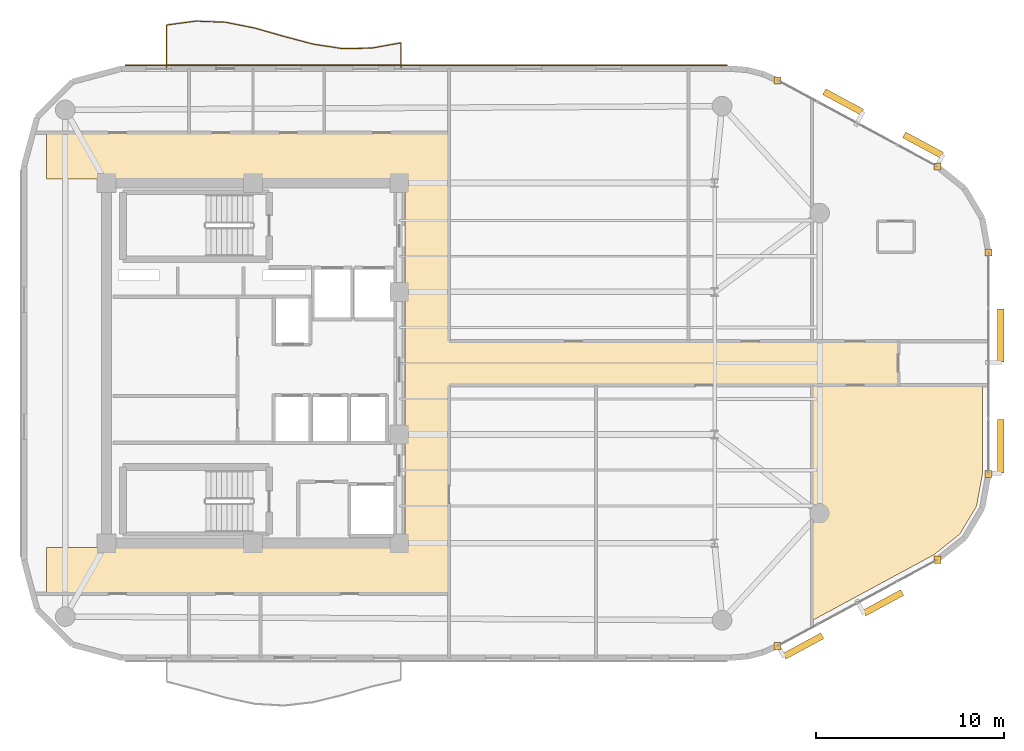
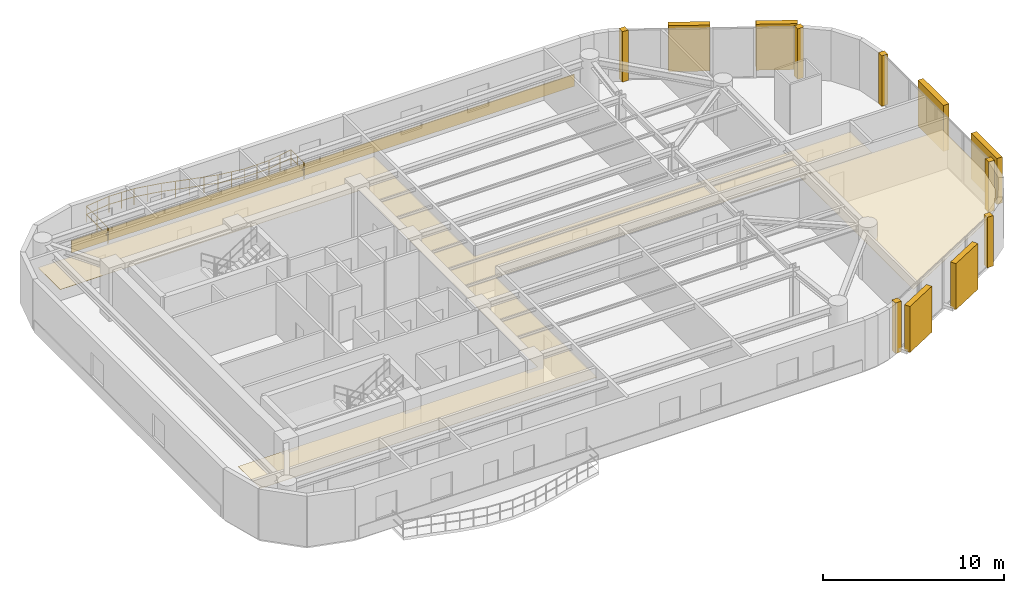
# One storey, part 13 of 13: 9 coverings, 6 shading devices, 1 railing.
"""IFC4 building model written with IfcOpenShell, lengths in metres."""

from ifc_helpers import new_model, si_unit, direction, frame, origin, origin_2d, place, context, subcontext, project, spatial, polyline, rectangle, circle, outline, extrude, material, layer, layer_set, type_object, element, save


model = new_model("IFC4")

# Units and contexts
model_context = context("Model", 3, precision=1e-05, world=origin(), true_north=direction((0.0, 1.0)))
body_context = subcontext(model_context, "Body", "Model", "MODEL_VIEW")
ifc_project = project(units=[si_unit("LENGTHUNIT", "METRE"), si_unit("AREAUNIT", "SQUARE_METRE"), si_unit("VOLUMEUNIT", "CUBIC_METRE"), si_unit("PLANEANGLEUNIT", "RADIAN"), si_unit("MASSUNIT", "GRAM", prefix="KILO")], contexts=[model_context])

# Site, building, storey
site_placement = place(None, origin())
site = spatial("IfcSite", under=ifc_project, at=site_placement, CompositionType="ELEMENT")
building_placement = place(site_placement, origin())
building = spatial("IfcBuilding", under=site, at=building_placement, Name="An Khanh Terracotta Commons", CompositionType="ELEMENT")
storey_placement = place(building_placement, frame((0.0, 0.0, 204.89990234375)))
storey = spatial("IfcBuildingStorey", under=building, at=storey_placement, Name="L53", CompositionType="ELEMENT", Elevation=204.89990234375)

# Coverings
ifc_material_1 = material(Name="Perforated Mineral-Fibre Acoustic Tile")
ifc_layer_1 = layer(ifc_material_1, 0.02001953125, Name="Perforated Mineral-Fibre Acoustic Tile")
ifc_layer_set_1 = layer_set([ifc_layer_1], Name="Perforated Mineral-Fibre Acoustic Tile")
covering_type_1 = type_object("IfcCoveringType", Name="CEIL-ACOUSTIC-18", PredefinedType="CEILING", material=ifc_layer_set_1)
covering_1_placement = place(storey_placement, frame((0.0, 0.0, 2.650146484375)))
element("IfcCovering", 1, at=covering_1_placement, inside=storey, type_object=covering_type_1, Name="L53 Corridor Ceiling", PredefinedType="CEILING", context=body_context, shape_type="SweptSolid", body=[
    extrude(outline(polyline([(18.39990234375, 11.719970703125), (18.39990234375, 14.179931640625), (37.5, 14.179931640625), (37.5, 33.820068359375), (18.39990234375, 33.820068359375), (18.39990234375, 36.280029296875), (37.5, 36.280029296875), (39.85009765625, 36.280029296875), (39.85009765625, 33.820068359375), (39.85009765625, 25.179931640625), (63.800048828125, 25.179931640625), (63.800048828125, 22.820068359375), (39.85009765625, 22.820068359375), (39.85009765625, 14.179931640625), (39.85009765625, 11.719970703125), (37.5, 11.719970703125), (18.39990234375, 11.719970703125)])), origin(), (0.0, 0.0, 1.0), 0.02001953125),
])
covering_2_placement = place(storey_placement, frame((0.0, 0.0, 2.650146484375)))
element("IfcCovering", 2, at=covering_2_placement, inside=storey, type_object=covering_type_1, Name="L53 Riverfront Reading Hall Ceiling", PredefinedType="CEILING", context=body_context, shape_type="SweptSolid", body=[
    extrude(outline(polyline([(68.280029296875, 18.1298828125), (67.964111328125, 16.389892578125), (67.074951171875, 14.89794921875), (65.695068359375, 13.7939453125), (59.199951171875, 10.284912109375), (59.199951171875, 22.820068359375), (63.800048828125, 22.820068359375), (68.280029296875, 22.820068359375), (68.280029296875, 18.1298828125)])), origin(), (0.0, 0.0, 1.0), 0.02001953125),
])
ifc_material_2 = material(Name="Fired Terracotta Rainscreen Cladding", Category="masonry")
ifc_layer_2 = layer(ifc_material_2, 0.080078125, Name="Fired Terracotta Rainscreen Cladding")
ifc_layer_set_2 = layer_set([ifc_layer_2], Name="Fired Terracotta Rainscreen Cladding")
covering_type_2 = type_object("IfcCoveringType", Name="COV-JAMB-TERRA", PredefinedType="CLADDING", material=ifc_layer_set_2)
for number, where, z_axis, x_axis, name in (
    (3, (57.35693359375, 8.925048828125, 0.000244140625), (0.0, 0.0, 1.0), (1.0, 0.0, 0.0), "L53 CW-03 Curtain-Wall Jamb Closure JA"),
    (4, (65.8720703125, 13.52587890625, 0.000244140625), (0.0, 0.0, 1.0), (1.0, 0.0, 0.0), "L53 CW-03 Curtain-Wall Jamb Closure JB"),
    (5, (68.60009765625, 18.10107421875, 0.000244140625), (0.0, 0.0, 1.0), (1.0, 0.0, 0.0), "L53 CW-03 Curtain-Wall Jamb Closure JA"),
    (6, (68.60009765625, 29.89892578125, 0.000244140625), (0.0, 0.0, 1.0), (1.0, 0.0, 0.0), "L53 CW-03 Curtain-Wall Jamb Closure JB"),
    (7, (65.8720703125, 34.47412109375, 0.000244140625), (0.0, 0.0, 1.0), (1.0, 0.0, 0.0), "L53 CW-03 Curtain-Wall Jamb Closure JA"),
    (8, (57.35693359375, 39.074951171875, 0.000244140625), (0.0, 0.0, 1.0), (1.0, 0.0, 0.0), "L53 CW-03 Curtain-Wall Jamb Closure JB"),
):
    element("IfcCovering", number, at=place(storey_placement, frame(where, z_axis=z_axis, x_axis=x_axis)), inside=storey, type_object=covering_type_2, Name=name, PredefinedType="CLADDING", context=body_context, shape_type="SweptSolid", body=[
        extrude(rectangle(XDim=0.3798828125, YDim=0.3798828125, at=origin_2d()), origin(), (0.0, 0.0, 1.0), 3.39990234375),
    ])
ifc_layer_3 = layer(ifc_material_2, 0.06005859375, Name="Fired Terracotta Rainscreen Cladding")
ifc_layer_set_3 = layer_set([ifc_layer_3], Name="Fired Terracotta Rainscreen Cladding")
covering_type_3 = type_object("IfcCoveringType", Name="COV-SPANDREL-TERRA", PredefinedType="CLADDING", material=ifc_layer_set_3)
covering_3_placement = place(storey_placement, frame((38.64208984375, 39.8798828125, 0.02001953125), z_axis=(0.0, 0.0, 1.0), x_axis=(-1.0, 0.0, 0.0)))
element("IfcCovering", 9, at=covering_3_placement, inside=storey, type_object=covering_type_3, Name="L53 Terracotta Spandrel Cladding 20", PredefinedType="CLADDING", context=body_context, shape_type="SweptSolid", body=[
    extrude(rectangle(XDim=32.0849609375, YDim=0.06005859375, at=origin_2d()), origin(), (0.0, 0.0, 1.0), 0.800048828125),
])

# Railing
ifc_material_3 = material(Name="Brushed Stainless Steel 316", Category="steel")
railing_type = type_object("IfcRailingType", Name="RAIL-BALUSTRADE-1100", PredefinedType="BALUSTRADE", material=ifc_material_3)
railing_placement = place(storey_placement, frame((37.300048828125, 39.639892578125, 0.0)))
element("IfcRailing", 10, at=railing_placement, inside=storey, type_object=railing_type, Name="L53 N Wave Balcony Guard Balustrade", PredefinedType="BALUSTRADE", context=body_context, shape_type="SweptSolid", body=[
    extrude(circle(Radius=0.02392578125, at=origin_2d()), frame((0.0, 0.0, 1.076171875), z_axis=(0.0, 1.0, 0.0), x_axis=(-1.0, 0.0, 0.0)), (0.0, 0.0, 1.0), 1.43310546875),
    extrude(circle(Radius=0.02392578125, at=origin_2d()), frame((0.0, 0.0, 0.52587890625), z_axis=(0.0, 1.0, 0.0), x_axis=(-1.0, 0.0, 0.0)), (0.0, 0.0, 1.0), 1.43310546875),
    extrude(circle(Radius=0.02392578125, at=origin_2d()), frame((0.0, 1.43310546875, 1.076171875), z_axis=(-0.984004887258, -0.178141465844, 0.0), x_axis=(0.178141465844, -0.984004887258, 0.0)), (0.0, 0.0, 1.0), 1.58837890625),
    extrude(circle(Radius=0.02392578125, at=origin_2d()), frame((0.0, 1.43310546875, 0.52587890625), z_axis=(-0.984004887258, -0.178141465844, 0.0), x_axis=(0.178141465844, -0.984004887258, 0.0)), (0.0, 0.0, 1.0), 1.58837890625),
    extrude(circle(Radius=0.02392578125, at=origin_2d()), frame((-1.56298828125, 1.150146484375, 1.076171875), z_axis=(-0.999838500197, -0.017971464133, 0.0), x_axis=(0.017971464133, -0.999838500197, 0.0)), (0.0, 0.0, 1.0), 1.562255859375),
    extrude(circle(Radius=0.02392578125, at=origin_2d()), frame((-1.56298828125, 1.150146484375, 0.52587890625), z_axis=(-0.999838500197, -0.017971464133, 0.0), x_axis=(0.017971464133, -0.999838500197, 0.0)), (0.0, 0.0, 1.0), 1.562255859375),
    extrude(circle(Radius=0.02392578125, at=origin_2d()), frame((-3.125, 1.1220703125, 1.076171875), z_axis=(-0.988600856151, 0.150560111644, 0.0), x_axis=(-0.150560111644, -0.988600856151, 0.0)), (0.0, 0.0, 1.0), 1.5810546875),
    extrude(circle(Radius=0.02392578125, at=origin_2d()), frame((-3.125, 1.1220703125, 0.52587890625), z_axis=(-0.988600856151, 0.150560111644, 0.0), x_axis=(-0.150560111644, -0.988600856151, 0.0)), (0.0, 0.0, 1.0), 1.5810546875),
    extrude(circle(Radius=0.02392578125, at=origin_2d()), frame((-4.68798828125, 1.360107421875, 1.076171875), z_axis=(-0.966315109969, 0.257361823599, 0.0), x_axis=(-0.257361823599, -0.966315109969, 0.0)), (0.0, 0.0, 1.0), 1.616455078125),
    extrude(circle(Radius=0.02392578125, at=origin_2d()), frame((-4.68798828125, 1.360107421875, 0.52587890625), z_axis=(-0.966315109969, 0.257361823599, 0.0), x_axis=(-0.257361823599, -0.966315109969, 0.0)), (0.0, 0.0, 1.0), 1.616455078125),
    extrude(circle(Radius=0.02392578125, at=origin_2d()), frame((-6.25, 1.776123046875, 1.076171875), z_axis=(-0.961880547912, 0.273469946335, 0.0), x_axis=(-0.273469946335, -0.961880547912, 0.0)), (0.0, 0.0, 1.0), 1.6240234375),
    extrude(circle(Radius=0.02392578125, at=origin_2d()), frame((-6.25, 1.776123046875, 0.52587890625), z_axis=(-0.961880547912, 0.273469946335, 0.0), x_axis=(-0.273469946335, -0.961880547912, 0.0)), (0.0, 0.0, 1.0), 1.6240234375),
    extrude(circle(Radius=0.02392578125, at=origin_2d()), frame((-7.81201171875, 2.22021484375, 1.076171875), z_axis=(-0.981148273046, 0.193256478024, 0.0), x_axis=(-0.193256478024, -0.981148273046, 0.0)), (0.0, 0.0, 1.0), 1.593017578125),
    extrude(circle(Radius=0.02392578125, at=origin_2d()), frame((-7.81201171875, 2.22021484375, 0.52587890625), z_axis=(-0.981148273046, 0.193256478024, 0.0), x_axis=(-0.193256478024, -0.981148273046, 0.0)), (0.0, 0.0, 1.0), 1.593017578125),
    extrude(circle(Radius=0.02392578125, at=origin_2d()), frame((-9.375, 2.528076171875, 1.076171875), z_axis=(-0.999237456582, 0.039044914684, 0.0), x_axis=(-0.039044914684, -0.999237456582, 0.0)), (0.0, 0.0, 1.0), 1.563232421875),
    extrude(circle(Radius=0.02392578125, at=origin_2d()), frame((-9.375, 2.528076171875, 0.52587890625), z_axis=(-0.999237456582, 0.039044914684, 0.0), x_axis=(-0.039044914684, -0.999237456582, 0.0)), (0.0, 0.0, 1.0), 1.563232421875),
    extrude(circle(Radius=0.02392578125, at=origin_2d()), frame((-10.93701171875, 2.589111328125, 1.076171875), z_axis=(-0.991179155362, -0.132528796781, 0.0), x_axis=(0.132528796781, -0.991179155362, 0.0)), (0.0, 0.0, 1.0), 1.576904296875),
    extrude(circle(Radius=0.02392578125, at=origin_2d()), frame((-10.93701171875, 2.589111328125, 0.52587890625), z_axis=(-0.991179155362, -0.132528796781, 0.0), x_axis=(0.132528796781, -0.991179155362, 0.0)), (0.0, 0.0, 1.0), 1.576904296875),
    extrude(circle(Radius=0.02392578125, at=origin_2d()), frame((-12.5, 2.380126953125, 1.076171875), z_axis=(0.0, -1.0, 0.0), x_axis=(1.0, 0.0, 0.0)), (0.0, 0.0, 1.0), 2.380126953125),
    extrude(circle(Radius=0.02392578125, at=origin_2d()), frame((-12.5, 2.380126953125, 0.52587890625), z_axis=(0.0, -1.0, 0.0), x_axis=(1.0, 0.0, 0.0)), (0.0, 0.0, 1.0), 2.380126953125),
    extrude(circle(Radius=0.02099609375, at=origin_2d()), origin(), (0.0, 0.0, 1.0), 1.052001953125),
    extrude(circle(Radius=0.02099609375, at=origin_2d()), frame((0.0, 0.716552734375, 0.0)), (0.0, 0.0, 1.0), 1.052001953125),
    extrude(circle(Radius=0.02099609375, at=origin_2d()), frame((0.0, 1.43310546875, 0.0)), (0.0, 0.0, 1.0), 1.052001953125),
    extrude(circle(Radius=0.02099609375, at=origin_2d()), frame((-0.781494140625, 1.29150390625, 0.0)), (0.0, 0.0, 1.0), 1.052001953125),
    extrude(circle(Radius=0.02099609375, at=origin_2d()), frame((-1.56298828125, 1.150146484375, 0.0)), (0.0, 0.0, 1.0), 1.052001953125),
    extrude(circle(Radius=0.02099609375, at=origin_2d()), frame((-2.343994140625, 1.13623046875, 0.0)), (0.0, 0.0, 1.0), 1.052001953125),
    extrude(circle(Radius=0.02099609375, at=origin_2d()), frame((-3.125, 1.1220703125, 0.0)), (0.0, 0.0, 1.0), 1.052001953125),
    extrude(circle(Radius=0.02099609375, at=origin_2d()), frame((-3.906494140625, 1.2412109375, 0.0)), (0.0, 0.0, 1.0), 1.052001953125),
    extrude(circle(Radius=0.02099609375, at=origin_2d()), frame((-4.68798828125, 1.360107421875, 0.0)), (0.0, 0.0, 1.0), 1.052001953125),
    extrude(circle(Radius=0.02099609375, at=origin_2d()), frame((-5.468994140625, 1.568115234375, 0.0)), (0.0, 0.0, 1.0), 1.052001953125),
    extrude(circle(Radius=0.02099609375, at=origin_2d()), frame((-6.25, 1.776123046875, 0.0)), (0.0, 0.0, 1.0), 1.052001953125),
    extrude(circle(Radius=0.02099609375, at=origin_2d()), frame((-7.031005859375, 1.998046875, 0.0)), (0.0, 0.0, 1.0), 1.052001953125),
    extrude(circle(Radius=0.02099609375, at=origin_2d()), frame((-7.81201171875, 2.22021484375, 0.0)), (0.0, 0.0, 1.0), 1.052001953125),
    extrude(circle(Radius=0.02099609375, at=origin_2d()), frame((-8.593505859375, 2.3740234375, 0.0)), (0.0, 0.0, 1.0), 1.052001953125),
    extrude(circle(Radius=0.02099609375, at=origin_2d()), frame((-9.375, 2.528076171875, 0.0)), (0.0, 0.0, 1.0), 1.052001953125),
    extrude(circle(Radius=0.02099609375, at=origin_2d()), frame((-10.156005859375, 2.55859375, 0.0)), (0.0, 0.0, 1.0), 1.052001953125),
    extrude(circle(Radius=0.02099609375, at=origin_2d()), frame((-10.93701171875, 2.589111328125, 0.0)), (0.0, 0.0, 1.0), 1.052001953125),
    extrude(circle(Radius=0.02099609375, at=origin_2d()), frame((-11.718505859375, 2.484619140625, 0.0)), (0.0, 0.0, 1.0), 1.052001953125),
    extrude(circle(Radius=0.02099609375, at=origin_2d()), frame((-12.5, 2.380126953125, 0.0)), (0.0, 0.0, 1.0), 1.052001953125),
    extrude(circle(Radius=0.02099609375, at=origin_2d()), frame((-12.5, 1.18994140625, 0.0)), (0.0, 0.0, 1.0), 1.052001953125),
    extrude(circle(Radius=0.02099609375, at=origin_2d()), frame((-12.5, 0.0, 0.0)), (0.0, 0.0, 1.0), 1.052001953125),
])

# Shading devices
ifc_material_4 = material(Name="Extruded Fired Terracotta", Category="masonry")
shading_device_type = type_object("IfcShadingDeviceType", Name="Terracotta Baguette Screen Assembly", PredefinedType="USERDEFINED", material=ifc_material_4)
for number, where, z_axis, x_axis, name in (
    (11, (58.72998046875, 8.927978515625, 0.150146484375), (0.0, 0.0, 1.0), (0.879780095306, 0.47538088298, 0.0), "L53 Terracotta Baguette Screen 1"),
    (12, (62.988037109375, 11.22900390625, 0.150146484375), (0.0, 0.0, 1.0), (0.879780095306, 0.47538088298, 0.0), "L53 Terracotta Baguette Screen 3"),
):
    element("IfcShadingDevice", number, at=place(storey_placement, frame(where, z_axis=z_axis, x_axis=x_axis)), inside=storey, type_object=shading_device_type, Name=name, ObjectType="BAGUETTE", PredefinedType="USERDEFINED", context=body_context, shape_type="SweptSolid", body=[
        extrude(rectangle(XDim=2.300048828125, YDim=0.35009765625, at=origin_2d()), origin(), (0.0, 0.0, 1.0), 3.10009765625),
    ])
for number, where, z_axis, x_axis, name in (
    (13, (69.25, 19.575927734375, 0.150146484375), (0.0, 0.0, 1.0), (0.0, 1.0, 0.0), "L53 Terracotta Baguette Screen 1"),
    (14, (69.25, 25.47509765625, 0.150146484375), (0.0, 0.0, 1.0), (0.0, 1.0, 0.0), "L53 Terracotta Baguette Screen 3"),
):
    element("IfcShadingDevice", number, at=place(storey_placement, frame(where, z_axis=z_axis, x_axis=x_axis)), inside=storey, type_object=shading_device_type, Name=name, ObjectType="BAGUETTE", PredefinedType="USERDEFINED", context=body_context, shape_type="SweptSolid", body=[
        extrude(rectangle(XDim=2.830078125, YDim=0.35009765625, at=origin_2d()), origin(), (0.0, 0.0, 1.0), 3.10009765625),
    ])
for number, where, z_axis, x_axis, name in (
    (15, (65.116943359375, 35.62109375, 0.150146484375), (0.0, 0.0, 1.0), (-0.879780095306, 0.47538088298, 0.0), "L53 Terracotta Baguette Screen 1"),
    (16, (60.85888671875, 37.9208984375, 0.150146484375), (0.0, 0.0, 1.0), (-0.879780095306, 0.47538088298, 0.0), "L53 Terracotta Baguette Screen 3"),
):
    element("IfcShadingDevice", number, at=place(storey_placement, frame(where, z_axis=z_axis, x_axis=x_axis)), inside=storey, type_object=shading_device_type, Name=name, ObjectType="BAGUETTE", PredefinedType="USERDEFINED", context=body_context, shape_type="SweptSolid", body=[
        extrude(rectangle(XDim=2.300048828125, YDim=0.35009765625, at=origin_2d()), origin(), (0.0, 0.0, 1.0), 3.10009765625),
    ])

save(model, "model.ifc")
